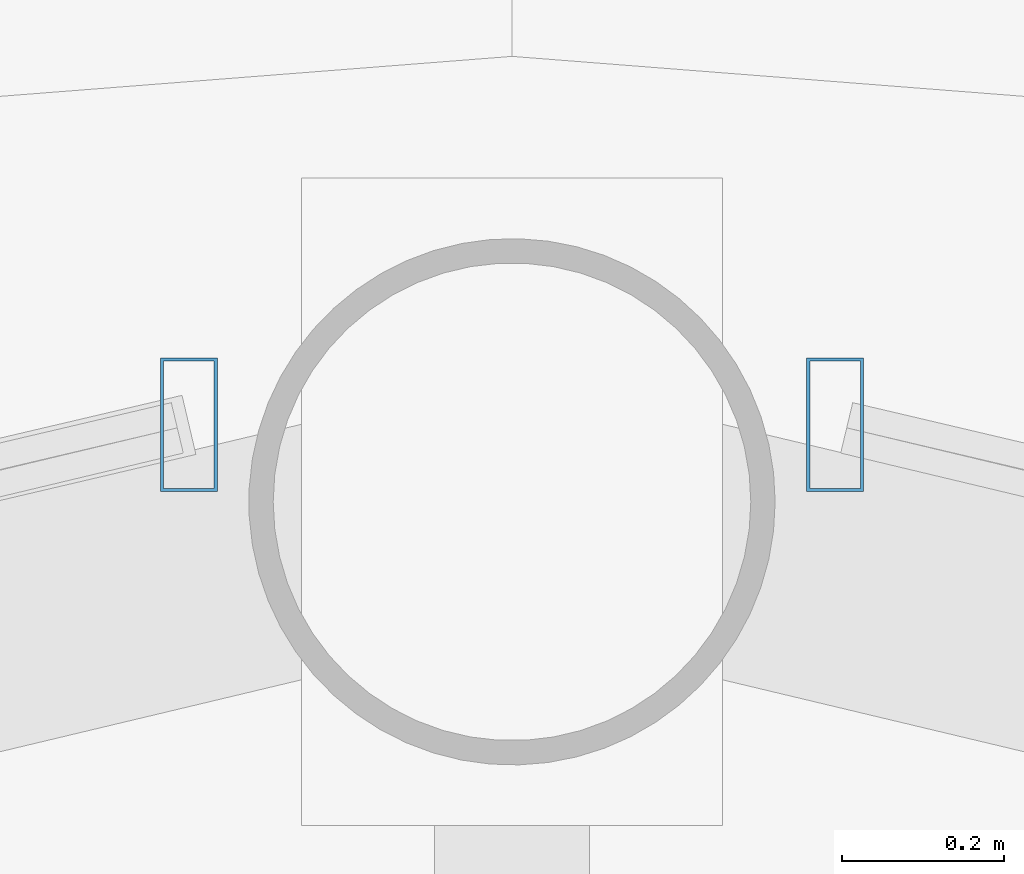
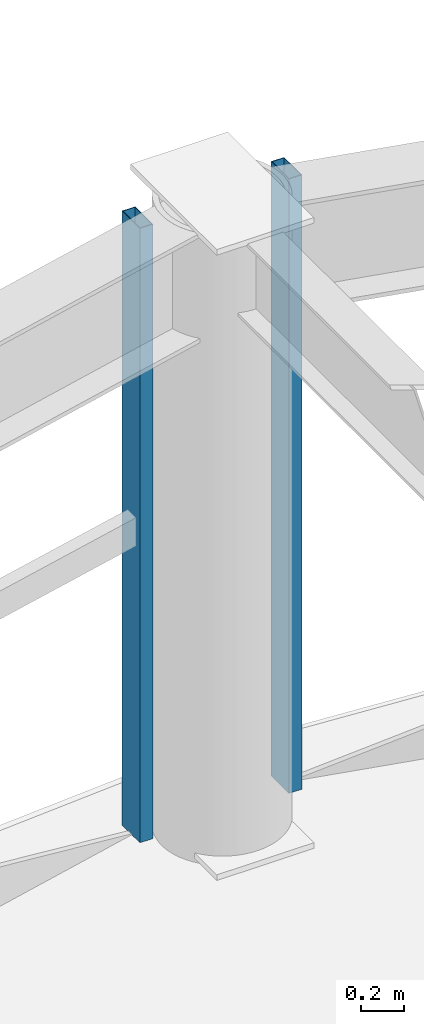
# One storey, part 19 of 30: 2 members, 2 elements without a shape of their own.
"""IFC4 building model written with IfcOpenShell, lengths in metres."""

from ifc_helpers import new_model, si_unit, direction, frame, origin, origin_2d, place, context, subcontext, project, spatial, hollow_rectangle, extrude, material, layer, layer_set, material_profile, profile_set, type_object, element, aggregate, save


model = new_model("IFC4")

# Units and contexts
model_context = context("Model", 3, precision=1e-05, world=origin(), true_north=direction((0.0, 1.0)))
body_context = subcontext(model_context, "Body", "Model", "MODEL_VIEW")
ifc_project = project(units=[si_unit("LENGTHUNIT", "METRE"), si_unit("AREAUNIT", "SQUARE_METRE"), si_unit("VOLUMEUNIT", "CUBIC_METRE"), si_unit("PLANEANGLEUNIT", "RADIAN"), si_unit("MASSUNIT", "GRAM", prefix="KILO")], contexts=[model_context])

# Site, building, storey
site_placement = place(None, origin())
site = spatial("IfcSite", under=ifc_project, at=site_placement, CompositionType="ELEMENT")
building_placement = place(site_placement, origin())
building = spatial("IfcBuilding", under=site, at=building_placement, Name="Vantalir Tower", CompositionType="ELEMENT")
storey_placement = place(building_placement, frame((0.0, 0.0, 193.64990234375)))
storey = spatial("IfcBuildingStorey", under=building, at=storey_placement, Name="L48", CompositionType="ELEMENT", Elevation=193.64990234375)

# Curtain wall, member
ifc_material_1 = material(Name="Champagne-silver PVDF aluminium and double-silver Low-E glass", Category="aluminium")
ifc_layer = layer(ifc_material_1, 0.2099609375)
ifc_layer_set = layer_set([ifc_layer], Name="Champagne-silver PVDF aluminium and double-silver Low-E glass")
curtain_wall_type = type_object("IfcCurtainWallType", Name="CW-DIAMOND-Z3", PredefinedType="USERDEFINED", material=ifc_layer_set)
curtain_wall_1_placement = place(storey_placement, origin())
curtain_wall_1 = element("IfcCurtainWall", 1, at=curtain_wall_1_placement, inside=storey, type_object=curtain_wall_type, Name="L48 Quilted Pyramid-Diamond Curtain Wall S03", ObjectType="UNITISED CURTAIN WALL", PredefinedType="USERDEFINED")
ifc_material_2 = material(Name="Champagne-silver PVDF aluminium 6063-T6", Category="aluminium")
ifc_material_profile = material_profile(ifc_material_2, hollow_rectangle(XDim=0.070068359375, YDim=0.1650390625, WallThickness=0.00390625, at=origin_2d()), Name="Champagne-silver PVDF aluminium 6063-T6")
ifc_profile_set = profile_set([ifc_material_profile], Name="Champagne-silver PVDF aluminium 6063-T6")
member_type = type_object("IfcMemberType", Name="CWM-165x70", PredefinedType="MULLION", material=ifc_profile_set)
member_1_placement = place(storey_placement, frame((31.89892578125, 45.282958984375, 0.045166015625), z_axis=(0.0, 0.0, 1.0), x_axis=(1.0, 0.0, 0.0)))
member_1 = element("IfcMember", 2, at=member_1_placement, type_object=member_type, Name="CW-L48-S03 Mullion 2", PredefinedType="MULLION", context=body_context, shape_type="SweptSolid", body=[
    extrude(hollow_rectangle(XDim=0.070068359375, YDim=0.1650390625, WallThickness=0.00390625, at=origin_2d()), origin(), (0.0, 0.0, 1.0), 3.47998046875),
])
aggregate(curtain_wall_1, [member_1])

curtain_wall_2_placement = place(storey_placement, origin())
curtain_wall_2 = element("IfcCurtainWall", 3, at=curtain_wall_2_placement, inside=storey, type_object=curtain_wall_type, Name="L48 Quilted Pyramid-Diamond Curtain Wall S04", ObjectType="UNITISED CURTAIN WALL", PredefinedType="USERDEFINED")
member_2_placement = place(storey_placement, frame((31.10107421875, 45.282958984375, 0.045166015625), z_axis=(0.0, 0.0, 1.0), x_axis=(1.0, 0.0, 0.0)))
member_2 = element("IfcMember", 4, at=member_2_placement, type_object=member_type, Name="CW-L48-S04 Mullion 1", PredefinedType="MULLION", context=body_context, shape_type="SweptSolid", body=[
    extrude(hollow_rectangle(XDim=0.070068359375, YDim=0.1650390625, WallThickness=0.00390625, at=origin_2d()), origin(), (0.0, 0.0, 1.0), 3.47998046875),
])
aggregate(curtain_wall_2, [member_2])

save(model, "model.ifc")
